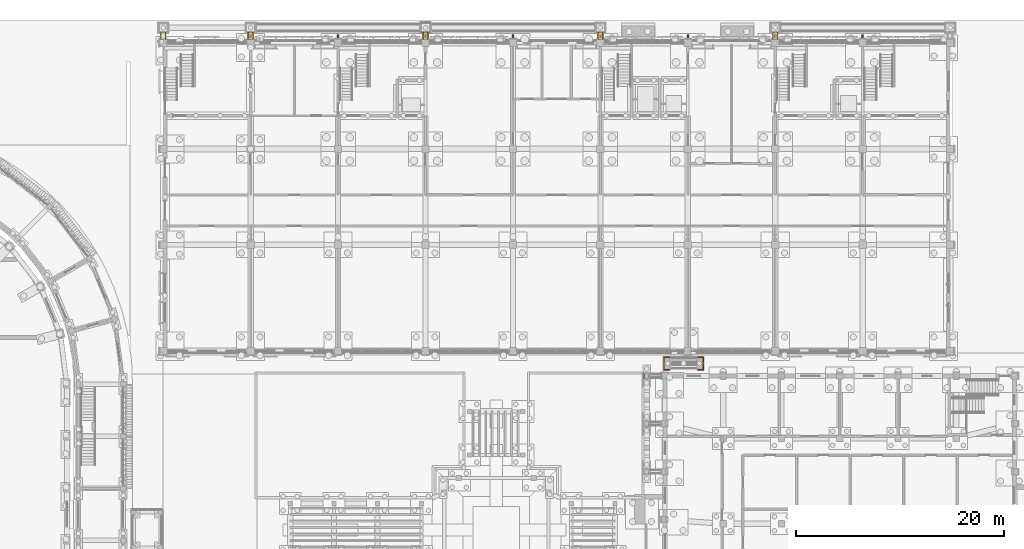
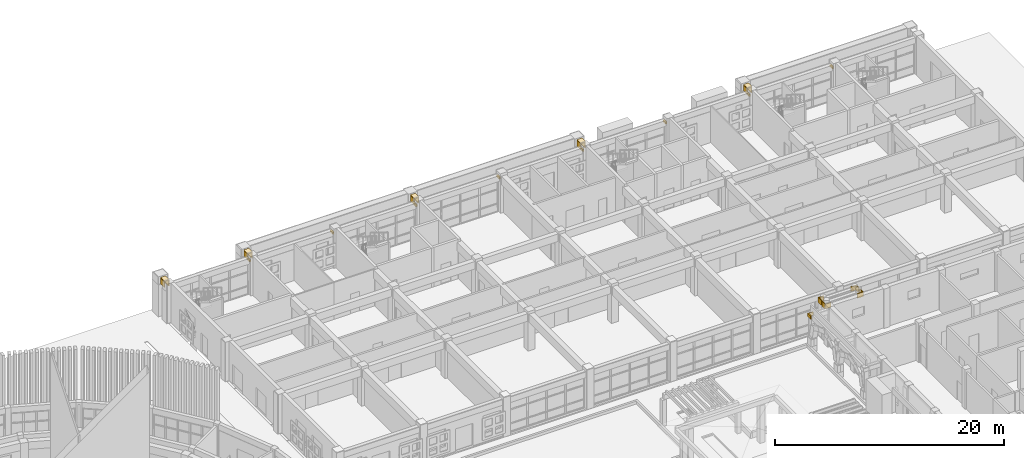
# One storey, part 110 of 112: 20 coverings, 8 shading devices.
"""IFC4 building model written with IfcOpenShell, lengths in metres."""

from ifc_helpers import new_model, si_unit, direction, frame, origin, origin_2d, place, context, subcontext, project, spatial, polyline, rectangle, outline, extrude, material, layer, layer_set, type_object, element, save


model = new_model("IFC4")

# Units and contexts
model_context = context("Model", 3, precision=1e-05, world=origin(), true_north=direction((0.0, 1.0)))
body_context = subcontext(model_context, "Body", "Model", "MODEL_VIEW")
ifc_project = project(units=[si_unit("LENGTHUNIT", "METRE"), si_unit("AREAUNIT", "SQUARE_METRE"), si_unit("VOLUMEUNIT", "CUBIC_METRE"), si_unit("PLANEANGLEUNIT", "RADIAN"), si_unit("MASSUNIT", "GRAM", prefix="KILO")], contexts=[model_context])

# Site, building, storey
site_placement = place(None, origin())
site = spatial("IfcSite", under=ifc_project, at=site_placement, CompositionType="ELEMENT")
building_placement = place(site_placement, origin())
building = spatial("IfcBuilding", under=site, at=building_placement, Name="Wasatch Bagh Community Centre", CompositionType="ELEMENT")
storey_placement = place(building_placement, origin())
storey = spatial("IfcBuildingStorey", under=building, at=storey_placement, Name="L00", CompositionType="ELEMENT", Elevation=0.0)

# Coverings
ifc_material_1 = material(Name="Cast stone cladding", Category="masonry")
ifc_layer_1 = layer(ifc_material_1, 0.080078125)
ifc_layer_set_1 = layer_set([ifc_layer_1], Name="Cast stone cladding")
covering_type_1 = type_object("IfcCoveringType", Name="CL-B7 beam facing", PredefinedType="CLADDING", material=ifc_layer_set_1)
covering_1_placement = place(storey_placement, frame((0.0, 0.0, 3.39990234375)))
element("IfcCovering", 1, at=covering_1_placement, inside=storey, type_object=covering_type_1, Name="Beam facing", PredefinedType="CLADDING", context=body_context, shape_type="SweptSolid", body=[
    extrude(outline(polyline([(63.824951171875, 98.14990234375), (63.824951171875, 98.800048828125), (63.7451171875, 98.800048828125), (63.7451171875, 98.14990234375), (63.824951171875, 98.14990234375)])), origin(), (0.0, 0.0, 1.0), 0.60009765625),
])
covering_2_placement = place(storey_placement, frame((0.0, 0.0, 3.39990234375)))
element("IfcCovering", 2, at=covering_2_placement, inside=storey, type_object=covering_type_1, Name="Beam facing", PredefinedType="CLADDING", context=body_context, shape_type="SweptSolid", body=[
    extrude(outline(polyline([(64.175048828125, 98.14990234375), (64.175048828125, 98.800048828125), (64.2548828125, 98.800048828125), (64.2548828125, 98.14990234375), (64.175048828125, 98.14990234375)])), origin(), (0.0, 0.0, 1.0), 0.60009765625),
])
covering_3_placement = place(storey_placement, frame((0.0, 0.0, 4.0)))
element("IfcCovering", 3, at=covering_3_placement, inside=storey, type_object=covering_type_1, Name="Beam facing", PredefinedType="CLADDING", context=body_context, shape_type="SweptSolid", body=[
    extrude(outline(polyline([(64.2548828125, 98.14990234375), (64.2548828125, 98.800048828125), (63.7451171875, 98.800048828125), (63.7451171875, 98.14990234375), (64.2548828125, 98.14990234375)])), origin(), (0.0, 0.0, 1.0), 0.080078125),
])
covering_4_placement = place(storey_placement, frame((0.0, 0.0, 3.39990234375)))
element("IfcCovering", 4, at=covering_4_placement, inside=storey, type_object=covering_type_1, Name="Beam facing", PredefinedType="CLADDING", context=body_context, shape_type="SweptSolid", body=[
    extrude(outline(polyline([(72.22509765625, 98.14990234375), (72.22509765625, 98.800048828125), (72.14501953125, 98.800048828125), (72.14501953125, 98.14990234375), (72.22509765625, 98.14990234375)])), origin(), (0.0, 0.0, 1.0), 0.60009765625),
])
covering_5_placement = place(storey_placement, frame((0.0, 0.0, 3.39990234375)))
element("IfcCovering", 5, at=covering_5_placement, inside=storey, type_object=covering_type_1, Name="Beam facing", PredefinedType="CLADDING", context=body_context, shape_type="SweptSolid", body=[
    extrude(outline(polyline([(72.574951171875, 98.14990234375), (72.574951171875, 98.800048828125), (72.655029296875, 98.800048828125), (72.655029296875, 98.14990234375), (72.574951171875, 98.14990234375)])), origin(), (0.0, 0.0, 1.0), 0.60009765625),
])
covering_6_placement = place(storey_placement, frame((0.0, 0.0, 4.0)))
element("IfcCovering", 6, at=covering_6_placement, inside=storey, type_object=covering_type_1, Name="Beam facing", PredefinedType="CLADDING", context=body_context, shape_type="SweptSolid", body=[
    extrude(outline(polyline([(72.655029296875, 98.14990234375), (72.655029296875, 98.800048828125), (72.14501953125, 98.800048828125), (72.14501953125, 98.14990234375), (72.655029296875, 98.14990234375)])), origin(), (0.0, 0.0, 1.0), 0.080078125),
])
covering_7_placement = place(storey_placement, frame((0.0, 0.0, 3.39990234375)))
element("IfcCovering", 7, at=covering_7_placement, inside=storey, type_object=covering_type_1, Name="Beam facing", PredefinedType="CLADDING", context=body_context, shape_type="SweptSolid", body=[
    extrude(outline(polyline([(89.02490234375, 98.14990234375), (89.02490234375, 98.800048828125), (88.945068359375, 98.800048828125), (88.945068359375, 98.14990234375), (89.02490234375, 98.14990234375)])), origin(), (0.0, 0.0, 1.0), 0.60009765625),
])
covering_8_placement = place(storey_placement, frame((0.0, 0.0, 3.39990234375)))
element("IfcCovering", 8, at=covering_8_placement, inside=storey, type_object=covering_type_1, Name="Beam facing", PredefinedType="CLADDING", context=body_context, shape_type="SweptSolid", body=[
    extrude(outline(polyline([(89.375, 98.14990234375), (89.375, 98.800048828125), (89.455078125, 98.800048828125), (89.455078125, 98.14990234375), (89.375, 98.14990234375)])), origin(), (0.0, 0.0, 1.0), 0.60009765625),
])
covering_9_placement = place(storey_placement, frame((0.0, 0.0, 4.0)))
element("IfcCovering", 9, at=covering_9_placement, inside=storey, type_object=covering_type_1, Name="Beam facing", PredefinedType="CLADDING", context=body_context, shape_type="SweptSolid", body=[
    extrude(outline(polyline([(89.455078125, 98.14990234375), (89.455078125, 98.800048828125), (88.945068359375, 98.800048828125), (88.945068359375, 98.14990234375), (89.455078125, 98.14990234375)])), origin(), (0.0, 0.0, 1.0), 0.080078125),
])
covering_10_placement = place(storey_placement, frame((0.0, 0.0, 3.39990234375)))
element("IfcCovering", 10, at=covering_10_placement, inside=storey, type_object=covering_type_1, Name="Beam facing", PredefinedType="CLADDING", context=body_context, shape_type="SweptSolid", body=[
    extrude(outline(polyline([(105.824951171875, 98.14990234375), (105.824951171875, 98.800048828125), (105.7451171875, 98.800048828125), (105.7451171875, 98.14990234375), (105.824951171875, 98.14990234375)])), origin(), (0.0, 0.0, 1.0), 0.60009765625),
])
covering_11_placement = place(storey_placement, frame((0.0, 0.0, 3.39990234375)))
element("IfcCovering", 11, at=covering_11_placement, inside=storey, type_object=covering_type_1, Name="Beam facing", PredefinedType="CLADDING", context=body_context, shape_type="SweptSolid", body=[
    extrude(outline(polyline([(106.175048828125, 98.14990234375), (106.175048828125, 98.800048828125), (106.2548828125, 98.800048828125), (106.2548828125, 98.14990234375), (106.175048828125, 98.14990234375)])), origin(), (0.0, 0.0, 1.0), 0.60009765625),
])
covering_12_placement = place(storey_placement, frame((0.0, 0.0, 4.0)))
element("IfcCovering", 12, at=covering_12_placement, inside=storey, type_object=covering_type_1, Name="Beam facing", PredefinedType="CLADDING", context=body_context, shape_type="SweptSolid", body=[
    extrude(outline(polyline([(106.2548828125, 98.14990234375), (106.2548828125, 98.800048828125), (105.7451171875, 98.800048828125), (105.7451171875, 98.14990234375), (106.2548828125, 98.14990234375)])), origin(), (0.0, 0.0, 1.0), 0.080078125),
])
covering_13_placement = place(storey_placement, frame((0.0, 0.0, 3.39990234375)))
element("IfcCovering", 13, at=covering_13_placement, inside=storey, type_object=covering_type_1, Name="Beam facing", PredefinedType="CLADDING", context=body_context, shape_type="SweptSolid", body=[
    extrude(outline(polyline([(122.625, 98.14990234375), (122.625, 98.800048828125), (122.544921875, 98.800048828125), (122.544921875, 98.14990234375), (122.625, 98.14990234375)])), origin(), (0.0, 0.0, 1.0), 0.60009765625),
])
covering_14_placement = place(storey_placement, frame((0.0, 0.0, 3.39990234375)))
element("IfcCovering", 14, at=covering_14_placement, inside=storey, type_object=covering_type_1, Name="Beam facing", PredefinedType="CLADDING", context=body_context, shape_type="SweptSolid", body=[
    extrude(outline(polyline([(122.97509765625, 98.14990234375), (122.97509765625, 98.800048828125), (123.054931640625, 98.800048828125), (123.054931640625, 98.14990234375), (122.97509765625, 98.14990234375)])), origin(), (0.0, 0.0, 1.0), 0.60009765625),
])
covering_15_placement = place(storey_placement, frame((0.0, 0.0, 4.0)))
element("IfcCovering", 15, at=covering_15_placement, inside=storey, type_object=covering_type_1, Name="Beam facing", PredefinedType="CLADDING", context=body_context, shape_type="SweptSolid", body=[
    extrude(outline(polyline([(123.054931640625, 98.14990234375), (123.054931640625, 98.800048828125), (122.544921875, 98.800048828125), (122.544921875, 98.14990234375), (123.054931640625, 98.14990234375)])), origin(), (0.0, 0.0, 1.0), 0.080078125),
])
ifc_layer_2 = layer(ifc_material_1, 0.080078125)
ifc_layer_set_2 = layer_set([ifc_layer_2], Name="Cast stone cladding")
covering_type_2 = type_object("IfcCoveringType", Name="CL-C1 column facing", PredefinedType="CLADDING", material=ifc_layer_set_2)
covering_16_placement = place(storey_placement, frame((0.0, 0.0, 3.493408203125)))
element("IfcCovering", 16, at=covering_16_placement, inside=storey, type_object=covering_type_2, Name="Column facing", PredefinedType="CLADDING", context=body_context, shape_type="SweptSolid", body=[
    extrude(outline(polyline([(110.22509765625, 65.574951171875), (110.14501953125, 65.574951171875), (110.14501953125, 66.10498046875), (110.675048828125, 66.10498046875), (110.675048828125, 66.02490234375), (110.22509765625, 66.02490234375), (110.22509765625, 65.574951171875)])), origin(), (0.0, 0.0, 1.0), 0.356689453125),
])
covering_17_placement = place(storey_placement, frame((0.0, 0.0, 3.43994140625)))
element("IfcCovering", 17, at=covering_17_placement, inside=storey, type_object=covering_type_2, Name="Column facing", PredefinedType="CLADDING", context=body_context, shape_type="SweptSolid", body=[
    extrude(outline(polyline([(112.070068359375, 66.3701171875), (112.070068359375, 66.949951171875), (112.14990234375, 66.949951171875), (112.14990234375, 66.449951171875), (112.64990234375, 66.449951171875), (112.64990234375, 66.3701171875), (112.070068359375, 66.3701171875)])), origin(), (0.0, 0.0, 1.0), 0.5),
])
covering_18_placement = place(storey_placement, frame((0.0, 0.0, 3.43994140625)))
element("IfcCovering", 18, at=covering_18_placement, inside=storey, type_object=covering_type_2, Name="Column facing", PredefinedType="CLADDING", context=body_context, shape_type="SweptSolid", body=[
    extrude(outline(polyline([(115.85009765625, 66.449951171875), (115.85009765625, 66.949951171875), (115.929931640625, 66.949951171875), (115.929931640625, 66.3701171875), (115.35009765625, 66.3701171875), (115.35009765625, 66.449951171875), (115.85009765625, 66.449951171875)])), origin(), (0.0, 0.0, 1.0), 0.5),
])
covering_19_placement = place(storey_placement, frame((0.0, 0.0, 3.43994140625)))
element("IfcCovering", 19, at=covering_19_placement, inside=storey, type_object=covering_type_2, Name="Column facing", PredefinedType="CLADDING", context=body_context, shape_type="SweptSolid", body=[
    extrude(outline(polyline([(112.14990234375, 67.050048828125), (112.070068359375, 67.050048828125), (112.070068359375, 67.6298828125), (112.64990234375, 67.6298828125), (112.64990234375, 67.550048828125), (112.14990234375, 67.550048828125), (112.14990234375, 67.050048828125)])), origin(), (0.0, 0.0, 1.0), 0.5),
])
covering_20_placement = place(storey_placement, frame((0.0, 0.0, 3.43994140625)))
element("IfcCovering", 20, at=covering_20_placement, inside=storey, type_object=covering_type_2, Name="Column facing", PredefinedType="CLADDING", context=body_context, shape_type="SweptSolid", body=[
    extrude(outline(polyline([(115.85009765625, 67.550048828125), (115.35009765625, 67.550048828125), (115.35009765625, 67.6298828125), (115.929931640625, 67.6298828125), (115.929931640625, 67.050048828125), (115.85009765625, 67.050048828125), (115.85009765625, 67.550048828125)])), origin(), (0.0, 0.0, 1.0), 0.5),
])

# Shading devices
ifc_material_2 = material(Name="Powder-coated aluminium", Category="aluminium")
shading_device_type = type_object("IfcShadingDeviceType", Name="LW north fin 150x450", PredefinedType="USERDEFINED", material=ifc_material_2)
for number, where, z_axis, x_axis, name in (
    (21, (72.39990234375, 98.375, 3.10009765625), (0.0, 0.0, 1.0), (1.0, 0.0, 0.0), "Facade fin"),
    (22, (80.800048828125, 98.375, 3.10009765625), (0.0, 0.0, 1.0), (1.0, 0.0, 0.0), "Facade fin"),
    (23, (89.199951171875, 98.375, 3.10009765625), (0.0, 0.0, 1.0), (1.0, 0.0, 0.0), "Facade fin"),
    (24, (97.60009765625, 98.375, 3.10009765625), (0.0, 0.0, 1.0), (1.0, 0.0, 0.0), "Facade fin"),
    (25, (106.0, 98.375, 3.10009765625), (0.0, 0.0, 1.0), (1.0, 0.0, 0.0), "Facade fin"),
    (26, (114.39990234375, 98.375, 3.10009765625), (0.0, 0.0, 1.0), (1.0, 0.0, 0.0), "Facade fin"),
    (27, (122.800048828125, 98.375, 3.10009765625), (0.0, 0.0, 1.0), (1.0, 0.0, 0.0), "Facade fin"),
    (28, (131.199951171875, 98.375, 3.10009765625), (0.0, 0.0, 1.0), (1.0, 0.0, 0.0), "Facade fin"),
):
    element("IfcShadingDevice", number, at=place(storey_placement, frame(where, z_axis=z_axis, x_axis=x_axis)), inside=storey, type_object=shading_device_type, Name=name, ObjectType="Facade fin", PredefinedType="USERDEFINED", context=body_context, shape_type="SweptSolid", body=[
        extrude(rectangle(XDim=0.14990234375, YDim=0.449951171875, at=origin_2d()), origin(), (0.0, 0.0, 1.0), 0.219970703125),
    ])

save(model, "model.ifc")
